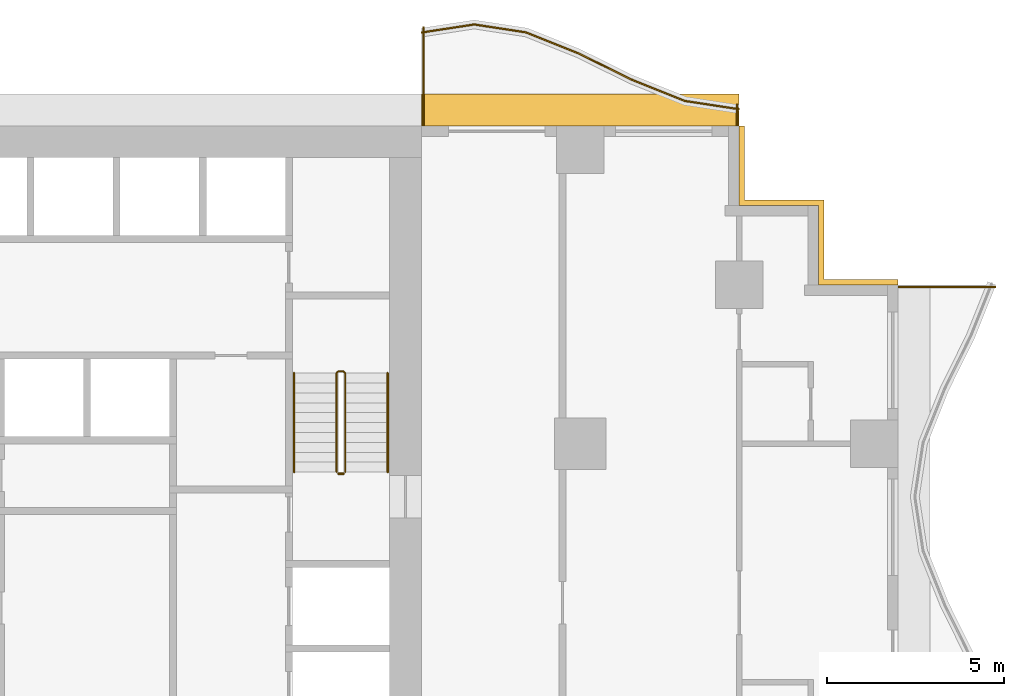
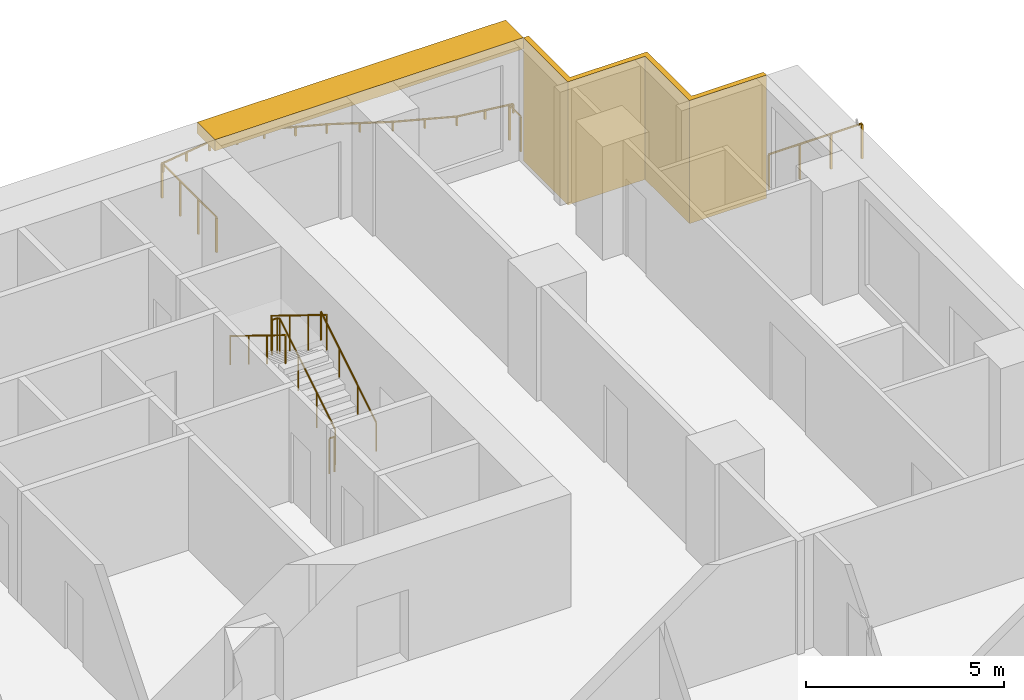
# One storey, part 13 of 13: 8 railings, 2 shading devices.
"""IFC4 building model written with IfcOpenShell, lengths in metres."""

from ifc_helpers import new_model, si_unit, direction, frame, origin, origin_2d, place, context, subcontext, project, spatial, polyline, rectangle, circle, outline, extrude, material, layer, layer_set, type_object, element, save


model = new_model("IFC4")

# Units and contexts
model_context = context("Model", 3, precision=1e-05, world=origin(), true_north=direction((0.0, 1.0)))
body_context = subcontext(model_context, "Body", "Model", "MODEL_VIEW")
ifc_project = project(units=[si_unit("LENGTHUNIT", "METRE"), si_unit("AREAUNIT", "SQUARE_METRE"), si_unit("VOLUMEUNIT", "CUBIC_METRE"), si_unit("PLANEANGLEUNIT", "RADIAN"), si_unit("MASSUNIT", "GRAM", prefix="KILO")], contexts=[model_context])

# Site, building, storey
site_placement = place(None, origin())
site = spatial("IfcSite", under=ifc_project, at=site_placement, CompositionType="ELEMENT")
building_placement = place(site_placement, origin())
building = spatial("IfcBuilding", under=site, at=building_placement, Name="Orbiselva Terraces", CompositionType="ELEMENT")
storey_placement = place(building_placement, frame((0.0, 0.0, 69.4)))
storey = spatial("IfcBuildingStorey", under=building, at=storey_placement, Name="L17", CompositionType="ELEMENT", Elevation=69.4)

# Railings
ifc_material_1 = material(Name="Stainless steel", Category="steel")
railing_type_1 = type_object("IfcRailingType", Name="CORE-GUARD-1100", PredefinedType="GUARDRAIL", material=ifc_material_1)
railing_1_placement = place(storey_placement, frame((11.35, 12.7, 0.172727)))
element("IfcRailing", 1, at=railing_1_placement, inside=storey, type_object=railing_type_1, Name="L17 S2 stair guard 1", PredefinedType="GUARDRAIL", context=body_context, shape_type="SweptSolid", body=[
    extrude(circle(Radius=0.024, at=origin_2d()), frame((0.0, 0.0, 1.081), z_axis=(0.0, 0.851088519012, 0.52502222125), x_axis=(-1.0, 0.0, 0.0)), (0.0, 0.0, 1.0), 3.289905),
    extrude(circle(Radius=0.024, at=origin_2d()), frame((0.0, 2.8, 2.808273), z_axis=(-0.707106781187, 0.707106781187, 0.0), x_axis=(-0.707106781187, -0.707106781187, 0.0)), (0.0, 0.0, 1.0), 0.070711),
    extrude(circle(Radius=0.024, at=origin_2d()), frame((-0.05, 2.85, 2.808273), z_axis=(-1.0, 0.0, 0.0), x_axis=(0.0, -1.0, 0.0)), (0.0, 0.0, 1.0), 0.15),
    extrude(circle(Radius=0.024, at=origin_2d()), frame((-0.2, 2.85, 2.808273), z_axis=(-0.267894925557, -0.267894925557, 0.925453736133), x_axis=(0.707106781187, -0.707106781187, 0.0)), (0.0, 0.0, 1.0), 0.18664),
    extrude(circle(Radius=0.024, at=origin_2d()), frame((-0.25, 2.8, 2.981), z_axis=(0.0, -0.851088519012, 0.52502222125), x_axis=(1.0, 0.0, 0.0)), (0.0, 0.0, 1.0), 3.289905),
    extrude(circle(Radius=0.021, at=origin_2d()), origin(), (0.0, 0.0, 1.0), 1.057),
    extrude(circle(Radius=0.021, at=origin_2d()), frame((0.0, 0.933333, 0.575758)), (0.0, 0.0, 1.0), 1.057),
    extrude(circle(Radius=0.021, at=origin_2d()), frame((0.0, 1.866667, 1.151515)), (0.0, 0.0, 1.0), 1.057),
    extrude(circle(Radius=0.021, at=origin_2d()), frame((0.0, 2.8, 1.727273)), (0.0, 0.0, 1.0), 1.057),
    extrude(circle(Radius=0.021, at=origin_2d()), frame((-0.05, 2.85, 1.727273)), (0.0, 0.0, 1.0), 1.057),
    extrude(circle(Radius=0.021, at=origin_2d()), frame((-0.2, 2.85, 1.727273)), (0.0, 0.0, 1.0), 1.057),
    extrude(circle(Radius=0.021, at=origin_2d()), frame((-0.25, 2.8, 1.9)), (0.0, 0.0, 1.0), 1.057),
    extrude(circle(Radius=0.021, at=origin_2d()), frame((-0.25, 1.866667, 2.475758)), (0.0, 0.0, 1.0), 1.057),
    extrude(circle(Radius=0.021, at=origin_2d()), frame((-0.25, 0.933333, 3.051515)), (0.0, 0.0, 1.0), 1.057),
    extrude(circle(Radius=0.021, at=origin_2d()), frame((-0.25, 0.0, 3.627273)), (0.0, 0.0, 1.0), 1.057),
])
railing_2_placement = place(storey_placement, frame((11.3, 12.65, 0.0)))
element("IfcRailing", 2, at=railing_2_placement, inside=storey, type_object=railing_type_1, Name="L17 S2 stair guard 2", PredefinedType="GUARDRAIL", context=body_context, shape_type="SweptSolid", body=[
    extrude(circle(Radius=0.024, at=origin_2d()), frame((0.0, 0.0, 1.081), z_axis=(-1.0, 0.0, 0.0), x_axis=(0.0, -1.0, 0.0)), (0.0, 0.0, 1.0), 0.15),
    extrude(circle(Radius=0.021, at=origin_2d()), origin(), (0.0, 0.0, 1.0), 1.057),
    extrude(circle(Radius=0.021, at=origin_2d()), frame((-0.15, 0.0, 0.0)), (0.0, 0.0, 1.0), 1.057),
])
railing_type_2 = type_object("IfcRailingType", Name="CORE-HANDRAIL-900", PredefinedType="HANDRAIL", material=ifc_material_1)
railing_3_placement = place(storey_placement, frame((12.55, 12.7, 0.172727)))
element("IfcRailing", 3, at=railing_3_placement, inside=storey, type_object=railing_type_2, Name="L17 S2 stair handrail 1", PredefinedType="HANDRAIL", context=body_context, shape_type="SweptSolid", body=[
    extrude(circle(Radius=0.024, at=origin_2d()), frame((0.0, 0.0, 0.876), z_axis=(0.0, 0.851088519012, 0.52502222125), x_axis=(-1.0, 0.0, 0.0)), (0.0, 0.0, 1.0), 3.289905),
    extrude(circle(Radius=0.021, at=origin_2d()), origin(), (0.0, 0.0, 1.0), 0.852),
    extrude(circle(Radius=0.021, at=origin_2d()), frame((0.0, 0.933333, 0.575758)), (0.0, 0.0, 1.0), 0.852),
    extrude(circle(Radius=0.021, at=origin_2d()), frame((0.0, 1.866667, 1.151515)), (0.0, 0.0, 1.0), 0.852),
    extrude(circle(Radius=0.021, at=origin_2d()), frame((0.0, 2.8, 1.727273)), (0.0, 0.0, 1.0), 0.852),
])
railing_4_placement = place(storey_placement, frame((9.9, 15.5, 2.072727)))
element("IfcRailing", 4, at=railing_4_placement, inside=storey, type_object=railing_type_2, Name="L17 S2 stair handrail 2", PredefinedType="HANDRAIL", context=body_context, shape_type="SweptSolid", body=[
    extrude(circle(Radius=0.024, at=origin_2d()), frame((0.0, 0.0, 0.876), z_axis=(0.0, -0.851088519012, 0.52502222125), x_axis=(1.0, 0.0, 0.0)), (0.0, 0.0, 1.0), 3.289905),
    extrude(circle(Radius=0.021, at=origin_2d()), origin(), (0.0, 0.0, 1.0), 0.852),
    extrude(circle(Radius=0.021, at=origin_2d()), frame((0.0, -0.933333, 0.575758)), (0.0, 0.0, 1.0), 0.852),
    extrude(circle(Radius=0.021, at=origin_2d()), frame((0.0, -1.866667, 1.151515)), (0.0, 0.0, 1.0), 0.852),
    extrude(circle(Radius=0.021, at=origin_2d()), frame((0.0, -2.8, 1.727273)), (0.0, 0.0, 1.0), 0.852),
])
ifc_material_2 = material(Name="Bonded two-ply safety glass balustrade, stainless steel posts", Category="steel")
railing_type_3 = type_object("IfcRailingType", Name="ENV-BALUSTRADE-1200", PredefinedType="BALUSTRADE", material=ifc_material_2)
railing_5_placement = place(storey_placement, frame((22.481121, 22.976434, 0.9)))
element("IfcRailing", 5, at=railing_5_placement, inside=storey, type_object=railing_type_3, Name="Balcony balustrade L17 NE", PredefinedType="BALUSTRADE", context=body_context, shape_type="SweptSolid", body=[
    extrude(outline(polyline([(0.028868, 0.0), (0.014434, 0.025), (-0.014434, 0.025), (-0.028868, 0.0), (-0.014434, -0.025), (0.014434, -0.025), (0.028868, 0.0)])), frame((0.0, 0.0, 0.275), z_axis=(-0.988528588529, 0.151033869252, 0.0), x_axis=(-0.151033869252, -0.988528588529, 0.0)), (0.0, 0.0, 1.0), 1.531776),
    extrude(outline(polyline([(0.028868, 0.0), (0.014434, 0.025), (-0.014434, 0.025), (-0.028868, 0.0), (-0.014434, -0.025), (0.014434, -0.025), (0.028868, 0.0)])), frame((-1.514204, 0.23135, 0.275), z_axis=(-0.92847681744, 0.371390359967, 0.0), x_axis=(-0.371390359967, -0.92847681744, 0.0)), (0.0, 0.0, 1.0), 1.634838),
    extrude(outline(polyline([(0.028868, 0.0), (0.014434, 0.025), (-0.014434, 0.025), (-0.028868, 0.0), (-0.014434, -0.025), (0.014434, -0.025), (0.028868, 0.0)])), frame((-3.032113, 0.838513, 0.275), z_axis=(-0.896416672454, 0.443212307306, 0.0), x_axis=(-0.443212307306, -0.896416672454, 0.0)), (0.0, 0.0, 1.0), 1.673329),
    extrude(outline(polyline([(0.028868, 0.0), (0.014434, 0.025), (-0.014434, 0.025), (-0.028868, 0.0), (-0.014434, -0.025), (0.014434, -0.025), (0.028868, 0.0)])), frame((-4.532113, 1.580153, 0.275), z_axis=(-0.928476561272, 0.371391000387, 0.0), x_axis=(-0.371391000387, -0.928476561272, 0.0)), (0.0, 0.0, 1.0), 1.596261),
    extrude(outline(polyline([(0.028868, 0.0), (0.014434, 0.025), (-0.014434, 0.025), (-0.028868, 0.0), (-0.014434, -0.025), (0.014434, -0.025), (0.028868, 0.0)])), frame((-6.014204, 2.17299, 0.275), z_axis=(-0.988528606898, 0.151033749027, 0.0), x_axis=(-0.151033749027, -0.988528606898, 0.0)), (0.0, 0.0, 1.0), 1.48394),
    extrude(outline(polyline([(0.028868, 0.0), (0.014434, 0.025), (-0.014434, 0.025), (-0.028868, 0.0), (-0.014434, -0.025), (0.014434, -0.025), (0.028868, 0.0)])), frame((-7.481121, 2.397115, 0.275), z_axis=(-0.988528624669, -0.151033632714, 0.0), x_axis=(0.151033632714, -0.988528624669, 0.0)), (0.0, 0.0, 1.0), 1.498309),
    extrude(rectangle(XDim=0.05, YDim=0.05, at=origin_2d()), origin(), (0.0, 0.0, 1.0), 0.25),
    extrude(rectangle(XDim=0.05, YDim=0.05, at=origin_2d()), frame((-0.757102, 0.115675, 0.0)), (0.0, 0.0, 1.0), 0.25),
    extrude(rectangle(XDim=0.05, YDim=0.05, at=origin_2d()), frame((-1.514204, 0.23135, 0.0)), (0.0, 0.0, 1.0), 0.25),
    extrude(rectangle(XDim=0.05, YDim=0.05, at=origin_2d()), frame((-2.273159, 0.534931, 0.0)), (0.0, 0.0, 1.0), 0.25),
    extrude(rectangle(XDim=0.05, YDim=0.05, at=origin_2d()), frame((-3.032113, 0.838513, 0.0)), (0.0, 0.0, 1.0), 0.25),
    extrude(rectangle(XDim=0.05, YDim=0.05, at=origin_2d()), frame((-3.782113, 1.209333, 0.0)), (0.0, 0.0, 1.0), 0.25),
    extrude(rectangle(XDim=0.05, YDim=0.05, at=origin_2d()), frame((-4.532113, 1.580153, 0.0)), (0.0, 0.0, 1.0), 0.25),
    extrude(rectangle(XDim=0.05, YDim=0.05, at=origin_2d()), frame((-5.273159, 1.876571, 0.0)), (0.0, 0.0, 1.0), 0.25),
    extrude(rectangle(XDim=0.05, YDim=0.05, at=origin_2d()), frame((-6.014204, 2.17299, 0.0)), (0.0, 0.0, 1.0), 0.25),
    extrude(rectangle(XDim=0.05, YDim=0.05, at=origin_2d()), frame((-6.747663, 2.285052, 0.0)), (0.0, 0.0, 1.0), 0.25),
    extrude(rectangle(XDim=0.05, YDim=0.05, at=origin_2d()), frame((-7.481121, 2.397115, 0.0)), (0.0, 0.0, 1.0), 0.25),
    extrude(rectangle(XDim=0.05, YDim=0.05, at=origin_2d()), frame((-8.221682, 2.283967, 0.0)), (0.0, 0.0, 1.0), 0.25),
    extrude(rectangle(XDim=0.05, YDim=0.05, at=origin_2d()), frame((-8.962242, 2.17082, 0.0)), (0.0, 0.0, 1.0), 0.25),
])
ifc_material_3 = material(Name="Stainless steel rail and posts", Category="steel")
railing_type_4 = type_object("IfcRailingType", Name="ENV-GUARD-1105", PredefinedType="BALUSTRADE", material=ifc_material_3)
railing_6_placement = place(storey_placement, frame((29.752788, 17.94, 0.0)))
element("IfcRailing", 6, at=railing_6_placement, inside=storey, type_object=railing_type_4, Name="Balcony end guard L17 E", PredefinedType="BALUSTRADE", context=body_context, shape_type="SweptSolid", body=[
    extrude(outline(polyline([(0.028868, 0.0), (0.014434, 0.025), (-0.014434, 0.025), (-0.028868, 0.0), (-0.014434, -0.025), (0.014434, -0.025), (0.028868, 0.0)])), frame((0.0, 0.0, 1.08), z_axis=(-1.0, 0.0, 0.0), x_axis=(0.0, -1.0, 0.0)), (0.0, 0.0, 1.0), 2.727788),
    extrude(rectangle(XDim=0.05, YDim=0.05, at=origin_2d()), origin(), (0.0, 0.0, 1.0), 1.055),
    extrude(rectangle(XDim=0.05, YDim=0.05, at=origin_2d()), frame((-0.909263, 0.0, 0.0)), (0.0, 0.0, 1.0), 1.055),
    extrude(rectangle(XDim=0.05, YDim=0.05, at=origin_2d()), frame((-1.818525, 0.0, 0.0)), (0.0, 0.0, 1.0), 1.055),
    extrude(rectangle(XDim=0.05, YDim=0.05, at=origin_2d()), frame((-2.727788, 0.0, 0.0)), (0.0, 0.0, 1.0), 1.055),
])
railing_7_placement = place(storey_placement, frame((22.44, 23.100379, 0.0)))
element("IfcRailing", 7, at=railing_7_placement, inside=storey, type_object=railing_type_4, Name="Balcony end guard L17 NE", PredefinedType="BALUSTRADE", context=body_context, shape_type="SweptSolid", body=[
    extrude(outline(polyline([(0.028868, 0.0), (0.014434, 0.025), (-0.014434, 0.025), (-0.028868, 0.0), (-0.014434, -0.025), (0.014434, -0.025), (0.028868, 0.0)])), frame((0.0, 0.0, 1.08), z_axis=(0.0, -1.0, 0.0), x_axis=(1.0, 0.0, 0.0)), (0.0, 0.0, 1.0), 0.575379),
    extrude(rectangle(XDim=0.05, YDim=0.05, at=origin_2d()), origin(), (0.0, 0.0, 1.0), 1.055),
    extrude(rectangle(XDim=0.05, YDim=0.05, at=origin_2d()), frame((0.0, -0.575379, 0.0)), (0.0, 0.0, 1.0), 1.055),
])
railing_8_placement = place(storey_placement, frame((13.56, 25.288239, 0.0)))
element("IfcRailing", 8, at=railing_8_placement, inside=storey, type_object=railing_type_4, Name="Balcony end guard L17 NE", PredefinedType="BALUSTRADE", context=body_context, shape_type="SweptSolid", body=[
    extrude(outline(polyline([(0.028868, 0.0), (0.014434, 0.025), (-0.014434, 0.025), (-0.028868, 0.0), (-0.014434, -0.025), (0.014434, -0.025), (0.028868, 0.0)])), frame((0.0, 0.0, 1.08), z_axis=(0.0, -1.0, 0.0), x_axis=(1.0, 0.0, 0.0)), (0.0, 0.0, 1.0), 2.763239),
    extrude(rectangle(XDim=0.05, YDim=0.05, at=origin_2d()), origin(), (0.0, 0.0, 1.0), 1.055),
    extrude(rectangle(XDim=0.05, YDim=0.05, at=origin_2d()), frame((0.0, -0.92108, 0.0)), (0.0, 0.0, 1.0), 1.055),
    extrude(rectangle(XDim=0.05, YDim=0.05, at=origin_2d()), frame((0.0, -1.842159, 0.0)), (0.0, 0.0, 1.0), 1.055),
    extrude(rectangle(XDim=0.05, YDim=0.05, at=origin_2d()), frame((0.0, -2.763239, 0.0)), (0.0, 0.0, 1.0), 1.055),
])

# Shading devices
ifc_material_4 = material(Name="Terracotta louvre screen", Category="masonry")
ifc_layer_1 = layer(ifc_material_4, 0.15)
ifc_layer_set_1 = layer_set([ifc_layer_1], Name="Terracotta louvre screen")
shading_device_type_1 = type_object("IfcShadingDeviceType", Name="ENV-SCREEN-150", PredefinedType="USERDEFINED", material=ifc_layer_set_1)
shading_device_1_placement = place(storey_placement, frame((0.0, 0.0, -0.3)))
element("IfcShadingDevice", 9, at=shading_device_1_placement, inside=storey, type_object=shading_device_type_1, Name="Louvre screen L17 NE", ObjectType="SCREEN", PredefinedType="USERDEFINED", context=body_context, shape_type="SweptSolid", body=[
    extrude(outline(polyline([(27.0, 18.15), (24.9, 18.15), (24.9, 20.4), (22.65, 20.4), (22.65, 22.5), (22.5, 22.5), (22.5, 20.25), (24.75, 20.25), (24.75, 18.0), (27.0, 18.0), (27.0, 18.15)])), origin(), (0.0, 0.0, 1.0), 3.8),
])
ifc_material_5 = material(Name="Terracotta baguette sunshade", Category="masonry")
ifc_layer_2 = layer(ifc_material_5, 0.35)
ifc_layer_set_2 = layer_set([ifc_layer_2], Name="Terracotta baguette sunshade")
shading_device_type_2 = type_object("IfcShadingDeviceType", Name="ENV-SUNSHADE-900x350", PredefinedType="USERDEFINED", material=ifc_layer_set_2)
shading_device_2_placement = place(storey_placement, frame((0.0, 0.0, 3.15)))
element("IfcShadingDevice", 10, at=shading_device_2_placement, inside=storey, type_object=shading_device_type_2, Name="Sunshade band L17 NE", ObjectType="SUNSHADE", PredefinedType="USERDEFINED", context=body_context, shape_type="SweptSolid", body=[
    extrude(outline(polyline([(22.5, 23.4), (13.5, 23.4), (13.5, 22.5), (22.5, 22.5), (22.5, 23.4)])), origin(), (0.0, 0.0, 1.0), 0.35),
])

save(model, "model.ifc")
